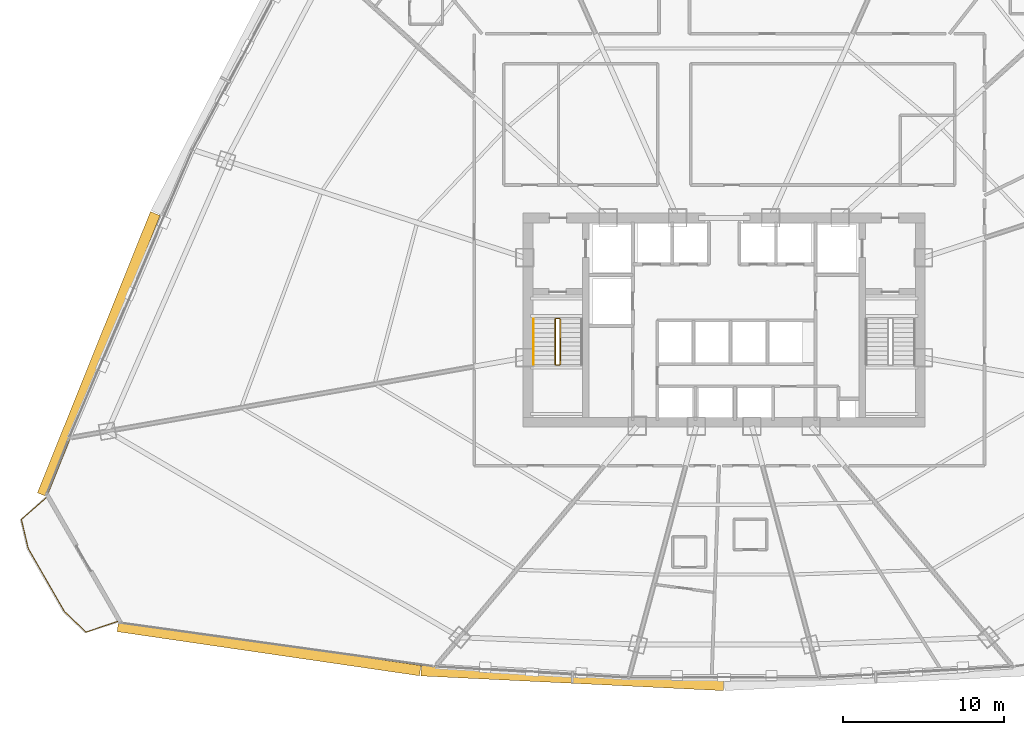
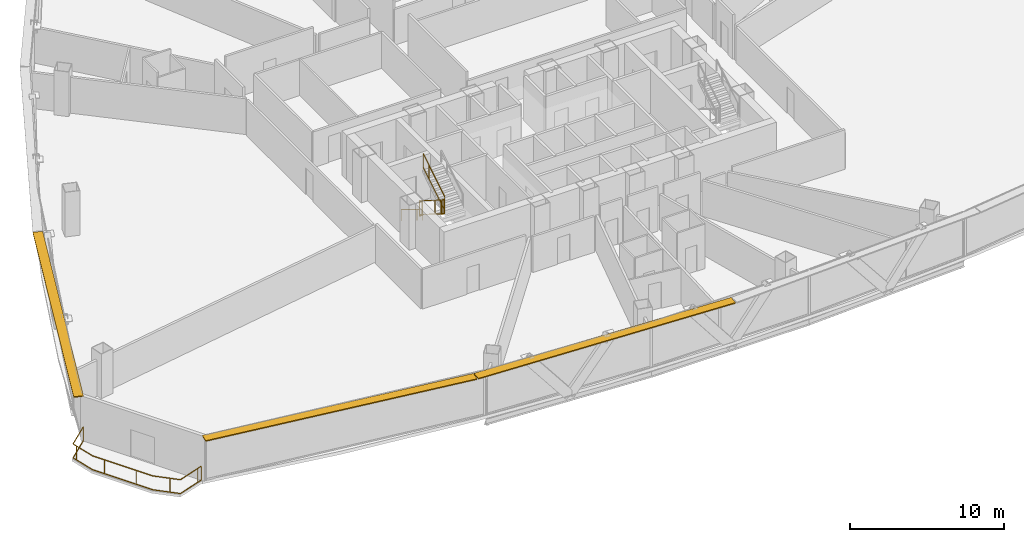
# One storey, part 34 of 37: 6 railings, 3 shading devices.
"""IFC4 building model written with IfcOpenShell, lengths in metres."""

from ifc_helpers import new_model, si_unit, direction, frame, origin, origin_2d, place, context, subcontext, project, spatial, rectangle, extrude, source, transform, mapped, material, layer, layer_set, type_object, element, save


model = new_model("IFC4")

# Units and contexts
model_context = context("Model", 3, precision=1e-05, world=origin(), true_north=direction((0.0, 1.0)))
body_context = subcontext(model_context, "Body", "Model", "MODEL_VIEW")
ifc_project = project(units=[si_unit("LENGTHUNIT", "METRE"), si_unit("AREAUNIT", "SQUARE_METRE"), si_unit("VOLUMEUNIT", "CUBIC_METRE"), si_unit("PLANEANGLEUNIT", "RADIAN"), si_unit("MASSUNIT", "GRAM", prefix="KILO"), si_unit("THERMODYNAMICTEMPERATUREUNIT", "KELVIN"), si_unit("POWERUNIT", "WATT")], contexts=[model_context])

# Site, building, storey
site_placement = place(None, origin())
site = spatial("IfcSite", under=ifc_project, at=site_placement, CompositionType="ELEMENT")
building_placement = place(site_placement, origin())
building = spatial("IfcBuilding", under=site, at=building_placement, Name="Yunzhuo Pagoda Commons", CompositionType="ELEMENT")
storey_placement = place(building_placement, frame((0.0, 0.0, 88.780029296875)))
storey = spatial("IfcBuildingStorey", under=building, at=storey_placement, Name="L22", CompositionType="ELEMENT", Elevation=88.780029296875)

# Railings
ifc_material = material(Name="Anodized aluminium 6063-T6", Category="aluminium")
railing_type_1 = type_object("IfcRailingType", Name="GR-ST1 Stair Well Guardrail 1150", PredefinedType="GUARDRAIL", material=ifc_material)
railing_1_placement = place(storey_placement, frame((37.5, 33.89990234375, 0.172607421875)))
element("IfcRailing", 1, at=railing_1_placement, inside=storey, type_object=railing_type_1, Name="L22 ST1 stair guard 1", PredefinedType="GUARDRAIL", context=body_context, shape_type="SweptSolid", body=[
    extrude(rectangle(XDim=0.048095703125, YDim=0.048095703125, at=origin_2d()), frame((0.0, 0.0, 1.1259765625), z_axis=(0.0, -0.851069175582, 0.525053576669), x_axis=(1.0, 0.0, 0.0)), (0.0, 0.0, 1.0), 3.289794921875),
    extrude(rectangle(XDim=0.048095703125, YDim=0.048095703125, at=origin_2d()), frame((0.0, 0.0, 0.02392578125), z_axis=(0.0, -0.851069175582, 0.525053576669), x_axis=(1.0, 0.0, 0.0)), (0.0, 0.0, 1.0), 3.289794921875),
    extrude(rectangle(XDim=0.0419921875, YDim=0.0419921875, at=origin_2d()), origin(), (0.0, 0.0, 1.0), 1.101806640625),
    extrude(rectangle(XDim=0.0419921875, YDim=0.0419921875, at=origin_2d()), frame((0.0, -2.04248046875, 1.260009765625)), (0.0, 0.0, 1.0), 1.101806640625),
    extrude(rectangle(XDim=0.0419921875, YDim=0.0419921875, at=origin_2d()), frame((0.0, -2.7998046875, 1.727294921875)), (0.0, 0.0, 1.0), 1.101806640625),
])
railing_2_placement = place(storey_placement, frame((37.550048828125, 31.050048828125, 1.89990234375)))
element("IfcRailing", 2, at=railing_2_placement, inside=storey, type_object=railing_type_1, Name="L22 ST1 stair guard 2", PredefinedType="GUARDRAIL", context=body_context, shape_type="SweptSolid", body=[
    extrude(rectangle(XDim=0.048095703125, YDim=0.048095703125, at=origin_2d()), frame((0.0, 0.0, 1.1259765625), z_axis=(1.0, 0.0, 0.0), x_axis=(0.0, 1.0, 0.0)), (0.0, 0.0, 1.0), 0.199951171875),
    extrude(rectangle(XDim=0.048095703125, YDim=0.048095703125, at=origin_2d()), frame((0.0, 0.0, 0.02392578125), z_axis=(1.0, 0.0, 0.0), x_axis=(0.0, 1.0, 0.0)), (0.0, 0.0, 1.0), 0.199951171875),
    extrude(rectangle(XDim=0.0419921875, YDim=0.0419921875, at=origin_2d()), origin(), (0.0, 0.0, 1.0), 1.101806640625),
    extrude(rectangle(XDim=0.0419921875, YDim=0.0419921875, at=origin_2d()), frame((0.199951171875, 0.0, 0.0)), (0.0, 0.0, 1.0), 1.101806640625),
])
railing_3_placement = place(storey_placement, frame((37.800048828125, 31.10009765625, 2.07275390625)))
element("IfcRailing", 3, at=railing_3_placement, inside=storey, type_object=railing_type_1, Name="L22 ST1 stair guard 3", PredefinedType="GUARDRAIL", context=body_context, shape_type="SweptSolid", body=[
    extrude(rectangle(XDim=0.048095703125, YDim=0.048095703125, at=origin_2d()), frame((0.0, 0.0, 1.1259765625), z_axis=(0.0, 0.851069175582, 0.525053576669), x_axis=(-1.0, 0.0, 0.0)), (0.0, 0.0, 1.0), 3.289794921875),
    extrude(rectangle(XDim=0.048095703125, YDim=0.048095703125, at=origin_2d()), frame((0.0, 0.0, 0.02392578125), z_axis=(0.0, 0.851069175582, 0.525053576669), x_axis=(-1.0, 0.0, 0.0)), (0.0, 0.0, 1.0), 3.289794921875),
    extrude(rectangle(XDim=0.0419921875, YDim=0.0419921875, at=origin_2d()), origin(), (0.0, 0.0, 1.0), 1.101806640625),
    extrude(rectangle(XDim=0.0419921875, YDim=0.0419921875, at=origin_2d()), frame((0.0, 2.04248046875, 1.260009765625)), (0.0, 0.0, 1.0), 1.101806640625),
    extrude(rectangle(XDim=0.0419921875, YDim=0.0419921875, at=origin_2d()), frame((0.0, 2.7998046875, 1.727294921875)), (0.0, 0.0, 1.0), 1.101806640625),
])
railing_4_placement = place(storey_placement, frame((37.550048828125, 33.949951171875, 0.0)))
element("IfcRailing", 4, at=railing_4_placement, inside=storey, type_object=railing_type_1, Name="L22 ST1 stair guard 4", PredefinedType="GUARDRAIL", context=body_context, shape_type="SweptSolid", body=[
    extrude(rectangle(XDim=0.048095703125, YDim=0.048095703125, at=origin_2d()), frame((0.0, 0.0, 1.1259765625), z_axis=(1.0, 0.0, 0.0), x_axis=(0.0, 1.0, 0.0)), (0.0, 0.0, 1.0), 0.199951171875),
    extrude(rectangle(XDim=0.048095703125, YDim=0.048095703125, at=origin_2d()), frame((0.0, 0.0, 0.02392578125), z_axis=(1.0, 0.0, 0.0), x_axis=(0.0, 1.0, 0.0)), (0.0, 0.0, 1.0), 0.199951171875),
    extrude(rectangle(XDim=0.0419921875, YDim=0.0419921875, at=origin_2d()), origin(), (0.0, 0.0, 1.0), 1.101806640625),
    extrude(rectangle(XDim=0.0419921875, YDim=0.0419921875, at=origin_2d()), frame((0.199951171875, 0.0, 0.0)), (0.0, 0.0, 1.0), 1.101806640625),
])
railing_type_2 = type_object("IfcRailingType", Name="HR-ST1 Stair Handrail 900", PredefinedType="HANDRAIL", material=ifc_material)
railing_5_placement = place(storey_placement, frame((36.14990234375, 33.89990234375, 0.172607421875)))
element("IfcRailing", 5, at=railing_5_placement, inside=storey, type_object=railing_type_2, Name="L22 ST1 stair handrail 1", PredefinedType="HANDRAIL", context=body_context, shape_type="SweptSolid", body=[
    extrude(rectangle(XDim=0.048095703125, YDim=0.048095703125, at=origin_2d()), frame((0.0, 0.0, 0.8759765625), z_axis=(0.0, -0.851069175582, 0.525053576669), x_axis=(1.0, 0.0, 0.0)), (0.0, 0.0, 1.0), 3.289794921875),
    extrude(rectangle(XDim=0.0419921875, YDim=0.0419921875, at=origin_2d()), origin(), (0.0, 0.0, 1.0), 0.851806640625),
    extrude(rectangle(XDim=0.0419921875, YDim=0.0419921875, at=origin_2d()), frame((0.0, -2.04248046875, 1.260009765625)), (0.0, 0.0, 1.0), 0.851806640625),
    extrude(rectangle(XDim=0.0419921875, YDim=0.0419921875, at=origin_2d()), frame((0.0, -2.7998046875, 1.727294921875)), (0.0, 0.0, 1.0), 0.851806640625),
])
railing_type_3 = type_object("IfcRailingType", Name="RL-BAL1 Exterior Terrace & Balcony Balustrade 1150", PredefinedType="BALUSTRADE", material=ifc_material)
railing_6_placement = place(storey_placement, frame((5.83984375, 22.801025390625, 0.0)))
element("IfcRailing", 6, at=railing_6_placement, inside=storey, type_object=railing_type_3, Name="L22 corner balcony balustrade V1", PredefinedType="BALUSTRADE", context=body_context, shape_type="SweptSolid", body=[
    extrude(rectangle(XDim=0.048095703125, YDim=0.048095703125, at=origin_2d()), frame((0.0, 0.0, 1.1259765625), z_axis=(-0.753992555518, -0.656882962348, 0.0), x_axis=(0.656882962348, -0.753992555518, 0.0)), (0.0, 0.0, 1.0), 2.05908203125),
    extrude(rectangle(XDim=0.048095703125, YDim=0.048095703125, at=origin_2d()), frame((0.0, 0.0, 0.02392578125), z_axis=(-0.753992555518, -0.656882962348, 0.0), x_axis=(0.656882962348, -0.753992555518, 0.0)), (0.0, 0.0, 1.0), 2.05908203125),
    extrude(rectangle(XDim=0.048095703125, YDim=0.048095703125, at=origin_2d()), frame((-1.552490234375, -1.3525390625, 1.1259765625), z_axis=(0.229837631651, -0.973228987997, 0.0), x_axis=(0.973228987997, 0.229837631651, 0.0)), (0.0, 0.0, 1.0), 1.85791015625),
    extrude(rectangle(XDim=0.048095703125, YDim=0.048095703125, at=origin_2d()), frame((-1.552490234375, -1.3525390625, 0.02392578125), z_axis=(0.229837631651, -0.973228987997, 0.0), x_axis=(0.973228987997, 0.229837631651, 0.0)), (0.0, 0.0, 1.0), 1.85791015625),
    extrude(rectangle(XDim=0.048095703125, YDim=0.048095703125, at=origin_2d()), frame((-1.12548828125, -3.16064453125, 1.1259765625), z_axis=(0.497899857491, -0.867234531088, 0.0), x_axis=(0.867234531088, 0.497899857491, 0.0)), (0.0, 0.0, 1.0), 4.521484375),
    extrude(rectangle(XDim=0.048095703125, YDim=0.048095703125, at=origin_2d()), frame((-1.12548828125, -3.16064453125, 0.02392578125), z_axis=(0.497899857491, -0.867234531088, 0.0), x_axis=(0.867234531088, 0.497899857491, 0.0)), (0.0, 0.0, 1.0), 4.521484375),
    extrude(rectangle(XDim=0.048095703125, YDim=0.048095703125, at=origin_2d()), frame((1.125732421875, -7.081787109375, 1.1259765625), z_axis=(0.724687687273, -0.689077467282, 0.0), x_axis=(0.689077467282, 0.724687687273, 0.0)), (0.0, 0.0, 1.0), 1.85791015625),
    extrude(rectangle(XDim=0.048095703125, YDim=0.048095703125, at=origin_2d()), frame((1.125732421875, -7.081787109375, 0.02392578125), z_axis=(0.724687687273, -0.689077467282, 0.0), x_axis=(0.689077467282, 0.724687687273, 0.0)), (0.0, 0.0, 1.0), 1.85791015625),
    extrude(rectangle(XDim=0.048095703125, YDim=0.048095703125, at=origin_2d()), frame((2.47216796875, -8.362060546875, 1.1259765625), z_axis=(0.947419062147, 0.319995501031, 0.0), x_axis=(-0.319995501031, 0.947419062147, 0.0)), (0.0, 0.0, 1.0), 2.05908203125),
    extrude(rectangle(XDim=0.048095703125, YDim=0.048095703125, at=origin_2d()), frame((2.47216796875, -8.362060546875, 0.02392578125), z_axis=(0.947419062147, 0.319995501031, 0.0), x_axis=(-0.319995501031, 0.947419062147, 0.0)), (0.0, 0.0, 1.0), 2.05908203125),
    extrude(rectangle(XDim=0.0419921875, YDim=0.0419921875, at=origin_2d()), origin(), (0.0, 0.0, 1.0), 1.101806640625),
    extrude(rectangle(XDim=0.0419921875, YDim=0.0419921875, at=origin_2d()), frame((-1.47412109375, -1.684326171875, 0.0)), (0.0, 0.0, 1.0), 1.101806640625),
    extrude(rectangle(XDim=0.0419921875, YDim=0.0419921875, at=origin_2d()), frame((-0.685791015625, -3.926513671875, 0.0)), (0.0, 0.0, 1.0), 1.101806640625),
    extrude(rectangle(XDim=0.0419921875, YDim=0.0419921875, at=origin_2d()), frame((0.50927734375, -6.0078125, 0.0)), (0.0, 0.0, 1.0), 1.101806640625),
    extrude(rectangle(XDim=0.0419921875, YDim=0.0419921875, at=origin_2d()), frame((1.967529296875, -7.88232421875, 0.0)), (0.0, 0.0, 1.0), 1.101806640625),
    extrude(rectangle(XDim=0.0419921875, YDim=0.0419921875, at=origin_2d()), frame((4.08642578125, -7.81689453125, 0.0)), (0.0, 0.0, 1.0), 1.101806640625),
    extrude(rectangle(XDim=0.0419921875, YDim=0.0419921875, at=origin_2d()), frame((4.423095703125, -7.703125, 0.0)), (0.0, 0.0, 1.0), 1.101806640625),
])

# Shading devices
ifc_layer = layer(ifc_material, 0.080078125)
ifc_layer_set = layer_set([ifc_layer], Name="Anodized aluminium 6063-T6")
shading_device_type = type_object("IfcShadingDeviceType", Name="SH-SUN1 Pagoda Horizontal Sunshade Eave 650", PredefinedType="USERDEFINED", material=ifc_layer_set)
shared_shape_1 = source(origin(), body_context, "Body", "SweptSolid", [
    extrude(rectangle(XDim=19.008544921875, YDim=0.64990234375, at=origin_2d()), origin(), (0.0, 0.0, 1.0), 0.080078125),
])
shading_device_1_placement = place(storey_placement, frame((19.6923828125, 13.415283203125, 3.4599609375), z_axis=(0.0, 0.0, 1.0), x_axis=(0.989510666697, -0.144459823108, 0.0)))
element("IfcShadingDevice", 7, at=shading_device_1_placement, inside=storey, type_object=shading_device_type, Name="L22 horizontal pagoda sunshade eave F1.1", ObjectType="SUNSHADE", PredefinedType="USERDEFINED", context=body_context, shape_type="MappedRepresentation", body=[
    mapped(shared_shape_1, transform((0.0, 0.0, 0.0), scale=1.0)),
])
shared_shape_2 = source(origin(), body_context, "Body", "SweptSolid", [
    extrude(rectangle(XDim=18.830810546875, YDim=0.64990234375, at=origin_2d()), origin(), (0.0, 0.0, 1.0), 0.080078125),
])
shading_device_2_placement = place(storey_placement, frame((38.56396484375, 11.57861328125, 3.4599609375), z_axis=(0.0, 0.0, 1.0), x_axis=(0.998818043775, -0.04860571396, 0.0)))
element("IfcShadingDevice", 8, at=shading_device_2_placement, inside=storey, type_object=shading_device_type, Name="L22 horizontal pagoda sunshade eave F1.2", ObjectType="SUNSHADE", PredefinedType="USERDEFINED", context=body_context, shape_type="MappedRepresentation", body=[
    mapped(shared_shape_2, transform((0.0, 0.0, 0.0), scale=1.0)),
])
shared_shape_3 = source(origin(), body_context, "Body", "SweptSolid", [
    extrude(rectangle(XDim=18.855712890625, YDim=0.64990234375, at=origin_2d()), origin(), (0.0, 0.0, 1.0), 0.080078125),
])
shading_device_3_placement = place(storey_placement, frame((9.101318359375, 31.72607421875, 3.4599609375), z_axis=(0.0, 0.0, 1.0), x_axis=(-0.373003976317, -0.927829743893, 0.0)))
element("IfcShadingDevice", 9, at=shading_device_3_placement, inside=storey, type_object=shading_device_type, Name="L22 horizontal pagoda sunshade eave F3.4", ObjectType="SUNSHADE", PredefinedType="USERDEFINED", context=body_context, shape_type="MappedRepresentation", body=[
    mapped(shared_shape_3, transform((0.0, 0.0, 0.0), scale=1.0)),
])

save(model, "model.ifc")
